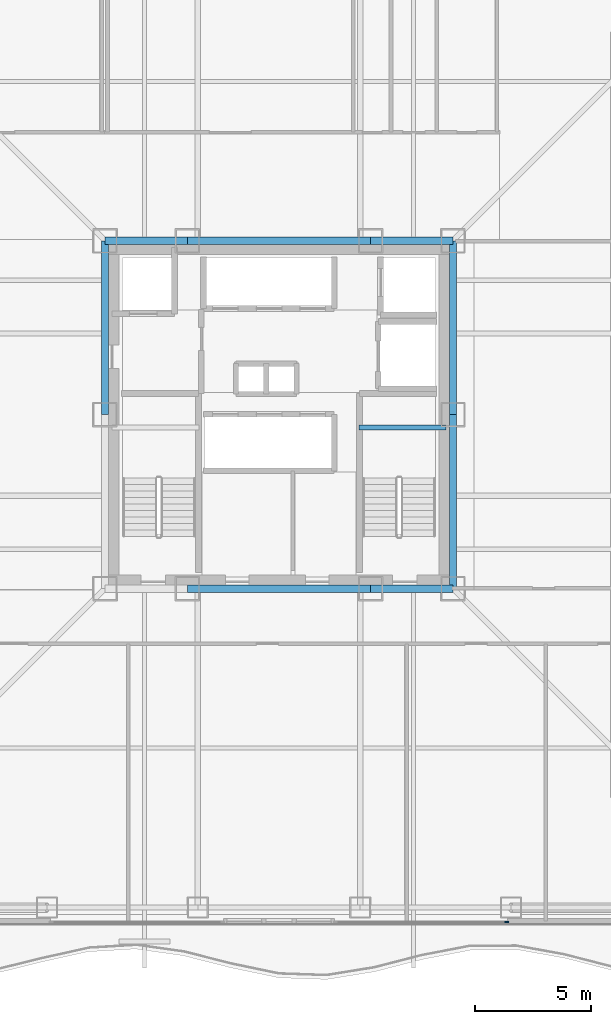
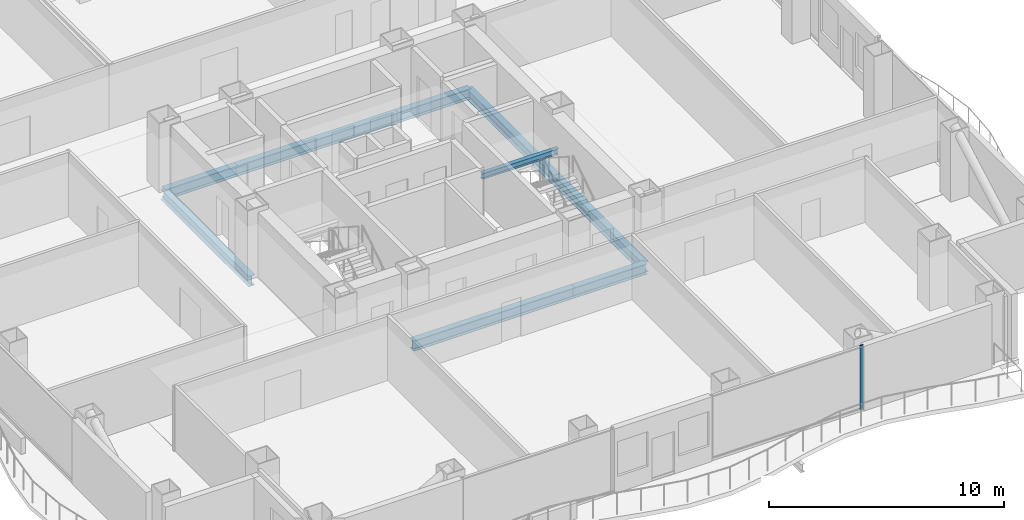
# One storey, part 5 of 18: 9 beams, 1 member, 1 element without a shape of its own.
"""IFC4 building model written with IfcOpenShell, lengths in metres."""

from ifc_helpers import new_model, si_unit, direction, frame, origin, origin_2d, place, context, subcontext, project, spatial, rectangle, i_section, extrude, material, layer, layer_set, material_profile, profile_set, type_object, element, aggregate, save


model = new_model("IFC4")

# Units and contexts
model_context = context("Model", 3, precision=1e-05, world=origin(), true_north=direction((0.0, 1.0)))
body_context = subcontext(model_context, "Body", "Model", "MODEL_VIEW")
ifc_project = project(units=[si_unit("LENGTHUNIT", "METRE"), si_unit("AREAUNIT", "SQUARE_METRE"), si_unit("VOLUMEUNIT", "CUBIC_METRE"), si_unit("PLANEANGLEUNIT", "RADIAN"), si_unit("MASSUNIT", "GRAM", prefix="KILO")], contexts=[model_context])

# Site, building, storey
site_placement = place(None, origin())
site = spatial("IfcSite", under=ifc_project, at=site_placement, CompositionType="ELEMENT")
building_placement = place(site_placement, origin())
building = spatial("IfcBuilding", under=site, at=building_placement, Name="Trevonay Congress Spire", CompositionType="ELEMENT")
storey_placement = place(building_placement, frame((0.0, 0.0, 122.800048828125)))
storey = spatial("IfcBuildingStorey", under=building, at=storey_placement, Name="L31", CompositionType="ELEMENT", Elevation=122.800048828125)

# Beams
ifc_material_1 = material(Name="Steel ASTM A572 Grade 50", Category="steel")
ifc_material_profile_1 = material_profile(ifc_material_1, i_section(OverallWidth=0.31201171875, OverallDepth=0.54296875, WebThickness=0.0126953125, FlangeThickness=0.020263671875, FilletRadius=0.014892578125, at=origin_2d()), Name="W530x150")
ifc_profile_set_1 = profile_set([ifc_material_profile_1], Name="Steel ASTM A572 Grade 50")
beam_type_1 = type_object("IfcBeamType", Name="BM-GIRD-W530X150", PredefinedType="BEAM", material=ifc_profile_set_1)
beam_1_placement = place(storey_placement, frame((-3.949951171875, -7.5, -0.511474609375), z_axis=(1.0, 0.0, 0.0), x_axis=(0.0, 1.0, 0.0)))
element("IfcBeam", 1, at=beam_1_placement, inside=storey, type_object=beam_type_1, Name="L31 structural beam BM-L31-CR-S2", PredefinedType="BEAM", context=body_context, shape_type="SweptSolid", body=[
    extrude(i_section(OverallWidth=0.31201171875, OverallDepth=0.54296875, WebThickness=0.0126953125, FlangeThickness=0.020263671875, FilletRadius=0.014892578125, at=origin_2d()), origin(), (0.0, 0.0, 1.0), 7.89990234375),
])
for number, where, z_axis, x_axis, name in (
    (2, (3.949951171875, -7.5, -0.511474609375), (1.0, 0.0, 0.0), (0.0, 1.0, 0.0), "L31 structural beam BM-L31-CR-S3"),
    (3, (-7.5, 7.5, -0.511474609375), (1.0, 0.0, 0.0), (0.0, 1.0, 0.0), "L31 structural beam BM-L31-CR-N1"),
):
    element("IfcBeam", number, at=place(storey_placement, frame(where, z_axis=z_axis, x_axis=x_axis)), inside=storey, type_object=beam_type_1, Name=name, PredefinedType="BEAM", context=body_context, shape_type="SweptSolid", body=[
        extrude(i_section(OverallWidth=0.31201171875, OverallDepth=0.54296875, WebThickness=0.0126953125, FlangeThickness=0.020263671875, FilletRadius=0.014892578125, at=origin_2d()), origin(), (0.0, 0.0, 1.0), 3.550048828125),
    ])
beam_2_placement = place(storey_placement, frame((-3.949951171875, 7.5, -0.511474609375), z_axis=(1.0, 0.0, 0.0), x_axis=(0.0, 1.0, 0.0)))
element("IfcBeam", 4, at=beam_2_placement, inside=storey, type_object=beam_type_1, Name="L31 structural beam BM-L31-CR-N2", PredefinedType="BEAM", context=body_context, shape_type="SweptSolid", body=[
    extrude(i_section(OverallWidth=0.31201171875, OverallDepth=0.54296875, WebThickness=0.0126953125, FlangeThickness=0.020263671875, FilletRadius=0.014892578125, at=origin_2d()), origin(), (0.0, 0.0, 1.0), 7.89990234375),
])
beam_3_placement = place(storey_placement, frame((3.949951171875, 7.5, -0.511474609375), z_axis=(1.0, 0.0, 0.0), x_axis=(0.0, 1.0, 0.0)))
element("IfcBeam", 5, at=beam_3_placement, inside=storey, type_object=beam_type_1, Name="L31 structural beam BM-L31-CR-N3", PredefinedType="BEAM", context=body_context, shape_type="SweptSolid", body=[
    extrude(i_section(OverallWidth=0.31201171875, OverallDepth=0.54296875, WebThickness=0.0126953125, FlangeThickness=0.020263671875, FilletRadius=0.014892578125, at=origin_2d()), origin(), (0.0, 0.0, 1.0), 3.550048828125),
])
for number, where, z_axis, x_axis, name in (
    (6, (-7.5, 0.0, -0.511474609375), (0.0, 1.0, 0.0), (-1.0, 0.0, 0.0), "L31 structural beam BM-L31-CR-W2"),
    (7, (7.5, -7.5, -0.511474609375), (0.0, 1.0, 0.0), (-1.0, 0.0, 0.0), "L31 structural beam BM-L31-CR-E1"),
    (8, (7.5, 0.0, -0.511474609375), (0.0, 1.0, 0.0), (-1.0, 0.0, 0.0), "L31 structural beam BM-L31-CR-E2"),
):
    element("IfcBeam", number, at=place(storey_placement, frame(where, z_axis=z_axis, x_axis=x_axis)), inside=storey, type_object=beam_type_1, Name=name, PredefinedType="BEAM", context=body_context, shape_type="SweptSolid", body=[
        extrude(i_section(OverallWidth=0.31201171875, OverallDepth=0.54296875, WebThickness=0.0126953125, FlangeThickness=0.020263671875, FilletRadius=0.014892578125, at=origin_2d()), origin(), (0.0, 0.0, 1.0), 7.5),
    ])

# Curtain wall, member
ifc_material_2 = material(Name="Pale Anodised Aluminium EN AW-6063-T6", Category="aluminium")
ifc_layer = layer(ifc_material_2, 0.175048828125, Name="Pale Anodised Aluminium EN AW-6063-T6")
ifc_layer_set = layer_set([ifc_layer], Name="Pale Anodised Aluminium EN AW-6063-T6")
curtain_wall_type = type_object("IfcCurtainWallType", Name="CW-SYS03-CONGRESS-PALE-METAL", PredefinedType="NOTDEFINED", material=ifc_layer_set)
curtain_wall_placement = place(storey_placement, origin())
curtain_wall = element("IfcCurtainWall", 9, at=curtain_wall_placement, inside=storey, type_object=curtain_wall_type, Name="L31 SB unitised curtain wall", PredefinedType="NOTDEFINED")
ifc_material_profile_2 = material_profile(ifc_material_2, rectangle(XDim=0.06005859375, YDim=0.159912109375, at=origin_2d()), Name="CW-MULLION-160-ALUMINIUM")
ifc_profile_set_2 = profile_set([ifc_material_profile_2], Name="Pale Anodised Aluminium EN AW-6063-T6")
member_type = type_object("IfcMemberType", Name="CW-MULLION-160-ALUMINIUM", PredefinedType="MULLION", material=ifc_profile_set_2)
member_placement = place(storey_placement, frame((9.820068359375, -21.8798828125, 0.0), z_axis=(0.0, 0.0, 1.0), x_axis=(0.0, 1.0, 0.0)))
member = element("IfcMember", 10, at=member_placement, type_object=member_type, Name="CW03 mullion 2", PredefinedType="MULLION", context=body_context, shape_type="SweptSolid", body=[
    extrude(rectangle(XDim=0.06005859375, YDim=0.159912109375, at=origin_2d()), origin(), (0.0, 0.0, 1.0), 3.35986328125),
])
aggregate(curtain_wall, [member])

# Beam
ifc_material_profile_3 = material_profile(ifc_material_1, i_section(OverallWidth=0.2041015625, OverallDepth=0.305908203125, WebThickness=0.008544921875, FlangeThickness=0.0146484375, FilletRadius=0.010986328125, at=origin_2d()), Name="W310x67")
ifc_profile_set_3 = profile_set([ifc_material_profile_3], Name="Steel ASTM A572 Grade 50")
beam_type_2 = type_object("IfcBeamType", Name="LN-CORE-W310X67", PredefinedType="LINTEL", material=ifc_profile_set_3)
beam_4_placement = place(storey_placement, frame((3.449951171875, -0.550048828125, 1.447021484375), z_axis=(1.0, 0.0, 0.0), x_axis=(0.0, 1.0, 0.0)))
element("IfcBeam", 11, at=beam_4_placement, inside=storey, type_object=beam_type_2, Name="L31 structural beam BM-L31-HL-ST2", PredefinedType="LINTEL", context=body_context, shape_type="SweptSolid", body=[
    extrude(i_section(OverallWidth=0.2041015625, OverallDepth=0.305908203125, WebThickness=0.008544921875, FlangeThickness=0.0146484375, FilletRadius=0.010986328125, at=origin_2d()), origin(), (0.0, 0.0, 1.0), 3.75),
])

save(model, "model.ifc")
